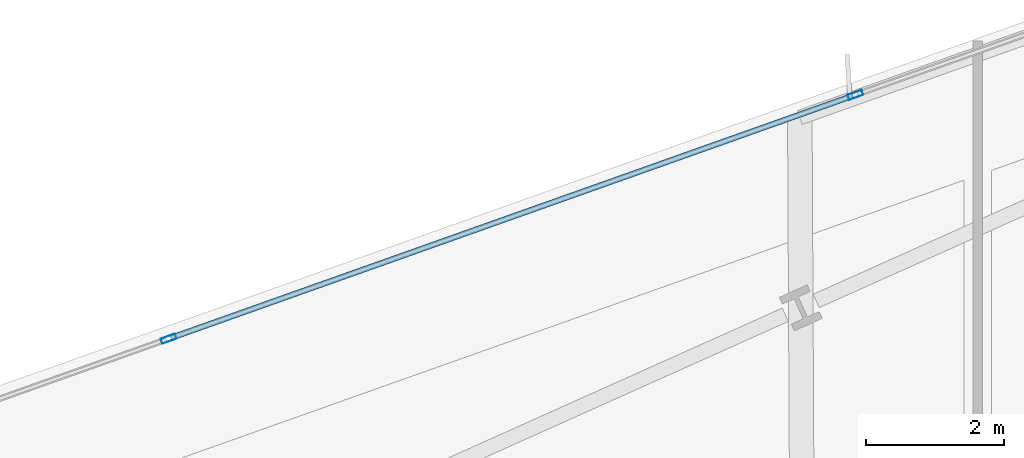
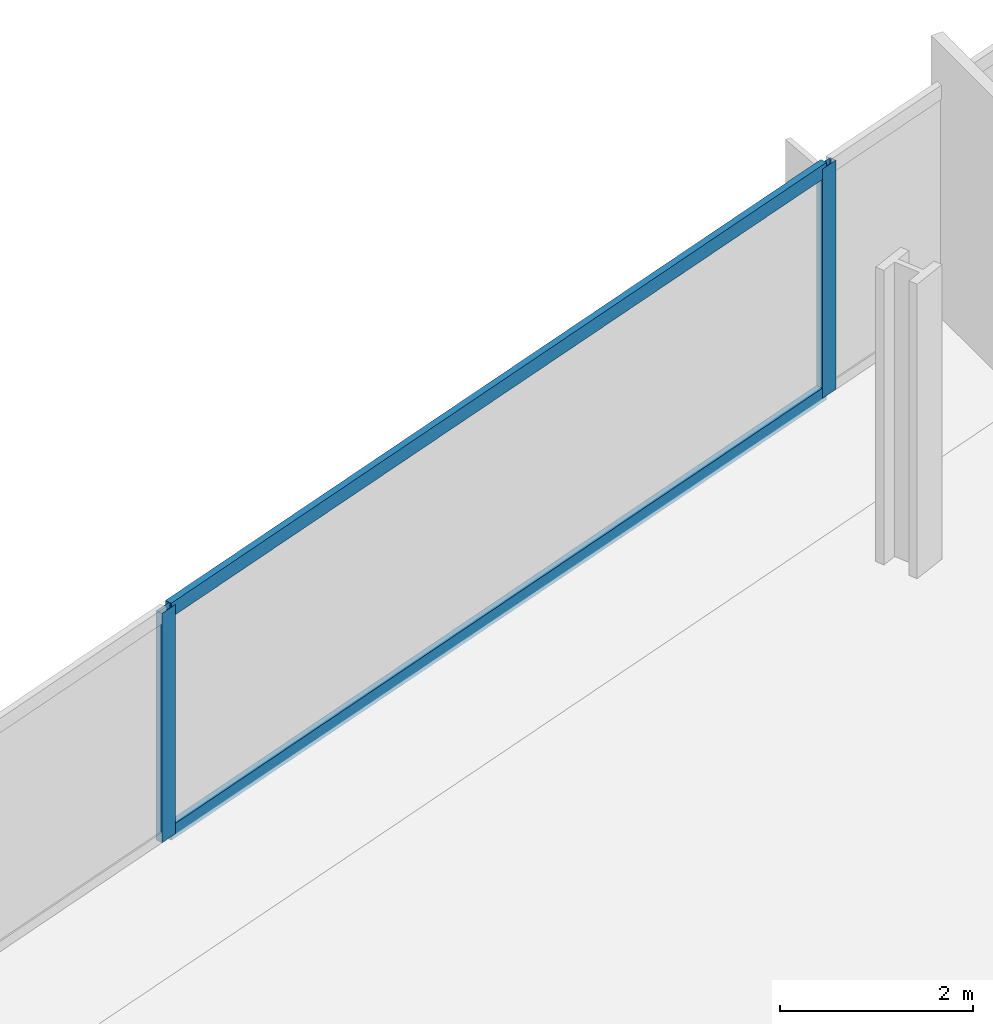
# One storey, part 18 of 33: 4 members, 1 element without a shape of its own.
"""IFC4 building model written with IfcOpenShell, lengths in metres."""

from ifc_helpers import new_model, si_unit, direction, frame, origin, origin_2d, place, context, subcontext, project, spatial, hollow_rectangle, extrude, material, material_profile, profile_set, type_object, element, aggregate, save


model = new_model("IFC4")

# Units and contexts
model_context = context("Model", 3, precision=1e-05, world=origin(), true_north=direction((0.0, 1.0)))
body_context = subcontext(model_context, "Body", "Model", "MODEL_VIEW")
ifc_project = project(units=[si_unit("LENGTHUNIT", "METRE"), si_unit("AREAUNIT", "SQUARE_METRE"), si_unit("VOLUMEUNIT", "CUBIC_METRE"), si_unit("PLANEANGLEUNIT", "RADIAN"), si_unit("MASSUNIT", "GRAM", prefix="KILO")], contexts=[model_context])

# Site, building, storey
site_placement = place(None, origin())
site = spatial("IfcSite", under=ifc_project, at=site_placement, CompositionType="ELEMENT")
building_placement = place(site_placement, origin())
building = spatial("IfcBuilding", under=site, at=building_placement, Name="Haldenkirk Collegiate Tower", CompositionType="ELEMENT")
storey_placement = place(building_placement, frame((0.0, 0.0, 94.199951171875)))
storey = spatial("IfcBuildingStorey", under=building, at=storey_placement, Name="L22", CompositionType="ELEMENT", Elevation=94.199951171875)

# Curtain wall, members
ifc_material = material(Name="Anodised architectural bronze aluminium", Category="aluminium")
curtain_wall_type = type_object("IfcCurtainWallType", Name="CW-SYS1-CONVEX-LOW", PredefinedType="USERDEFINED", material=ifc_material)
curtain_wall_placement = place(storey_placement, origin())
curtain_wall = element("IfcCurtainWall", 1, at=curtain_wall_placement, inside=storey, type_object=curtain_wall_type, Name="L22 Lower tower convex bronze-framed unitised curtain wall", ObjectType="UNITISED CURTAIN WALL", PredefinedType="USERDEFINED")
ifc_material_profile_1 = material_profile(ifc_material, hollow_rectangle(XDim=0.080078125, YDim=0.219970703125, WallThickness=0.0048828125, at=origin_2d()), Name="CW-MUL-1A")
ifc_profile_set_1 = profile_set([ifc_material_profile_1], Name="Anodised architectural bronze aluminium")
member_type_1 = type_object("IfcMemberType", Name="CW-MUL-1A", PredefinedType="MULLION", material=ifc_profile_set_1)
member_1_placement = place(storey_placement, frame((17.7861328125, 45.7646484375, 0.0), z_axis=(0.0, 0.0, 1.0), x_axis=(-0.334627839055, 0.942350364424, 0.0)))
member_1 = element("IfcMember", 2, at=member_1_placement, type_object=member_type_1, Name="CW-1A mullion 2", PredefinedType="MULLION", context=body_context, shape_type="SweptSolid", body=[
    extrude(hollow_rectangle(XDim=0.080078125, YDim=0.219970703125, WallThickness=0.0048828125, at=origin_2d()), origin(), (0.0, 0.0, 1.0), 2.901123046875),
])
member_2_placement = place(storey_placement, frame((27.727783203125, 49.294921875, 0.0), z_axis=(0.0, 0.0, 1.0), x_axis=(-0.334627839055, 0.942350364424, 0.0)))
member_2 = element("IfcMember", 3, at=member_2_placement, type_object=member_type_1, Name="CW-1A mullion 3", PredefinedType="MULLION", context=body_context, shape_type="SweptSolid", body=[
    extrude(hollow_rectangle(XDim=0.080078125, YDim=0.219970703125, WallThickness=0.0048828125, at=origin_2d()), origin(), (0.0, 0.0, 1.0), 2.901123046875),
])
ifc_material_profile_2 = material_profile(ifc_material, hollow_rectangle(XDim=0.080078125, YDim=0.179931640625, WallThickness=0.0048828125, at=origin_2d()), Name="CW-TRN-1A")
ifc_profile_set_2 = profile_set([ifc_material_profile_2], Name="Anodised architectural bronze aluminium")
member_type_2 = type_object("IfcMemberType", Name="CW-TRN-1A", PredefinedType="USERDEFINED", material=ifc_profile_set_2)
member_3_placement = place(storey_placement, frame((17.82373046875, 45.778076171875, 0.0400390625), z_axis=(0.942354945648, 0.334614937521, 0.0), x_axis=(-0.334614937521, 0.942354945648, 0.0)))
member_3 = element("IfcMember", 4, at=member_3_placement, type_object=member_type_2, Name="CW-1A transom 2.1", ObjectType="TRANSOM", PredefinedType="USERDEFINED", context=body_context, shape_type="SweptSolid", body=[
    extrude(hollow_rectangle(XDim=0.080078125, YDim=0.179931640625, WallThickness=0.0048828125, at=origin_2d()), origin(), (0.0, 0.0, 1.0), 10.469970703125),
])
member_4_placement = place(storey_placement, frame((17.82373046875, 45.778076171875, 2.861083984375), z_axis=(0.942354945648, 0.334614937521, 0.0), x_axis=(-0.334614937521, 0.942354945648, 0.0)))
member_4 = element("IfcMember", 5, at=member_4_placement, type_object=member_type_2, Name="CW-1A transom 2.2", ObjectType="TRANSOM", PredefinedType="USERDEFINED", context=body_context, shape_type="SweptSolid", body=[
    extrude(hollow_rectangle(XDim=0.080078125, YDim=0.179931640625, WallThickness=0.0048828125, at=origin_2d()), origin(), (0.0, 0.0, 1.0), 10.469970703125),
])
aggregate(curtain_wall, [member_1, member_2, member_3, member_4])

save(model, "model.ifc")
